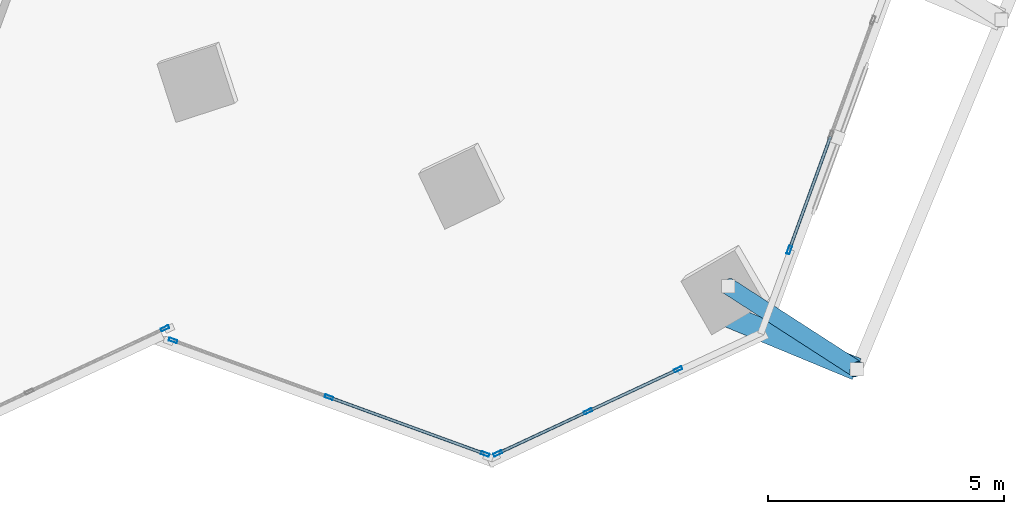
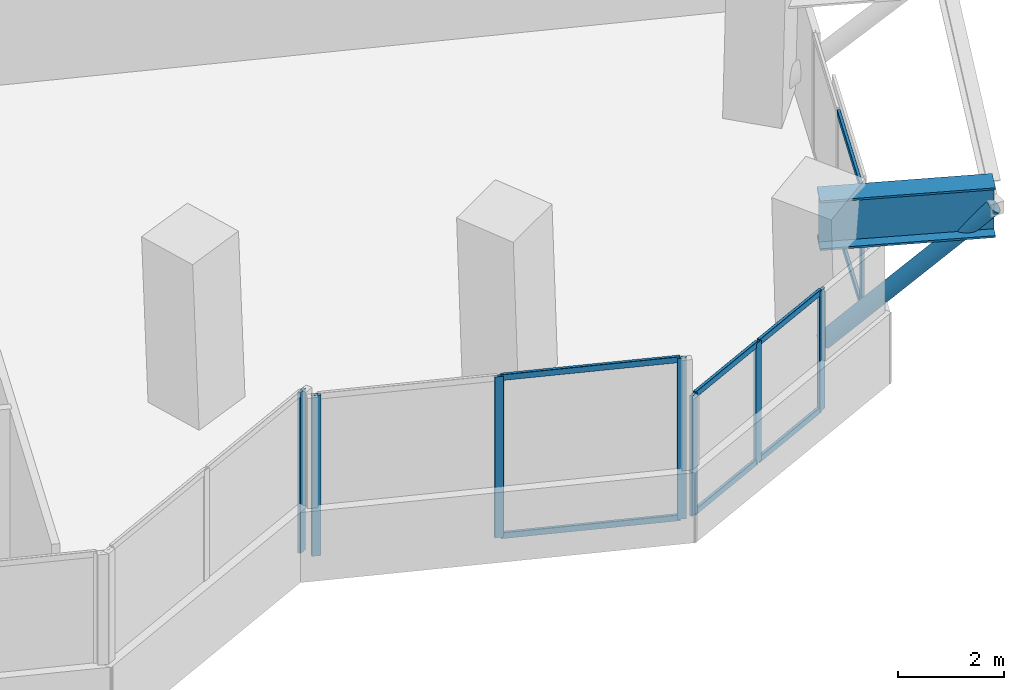
# One storey, part 8 of 21: 17 members, 1 beam, 4 elements without a shape of their own.
"""IFC4 building model written with IfcOpenShell, lengths in metres."""

from ifc_helpers import new_model, si_unit, direction, frame, origin, origin_2d, place, context, subcontext, project, spatial, hollow_rectangle, hollow_circle, i_section, extrude, source, transform, mapped, material, material_profile, profile_set, type_object, element, aggregate, save


model = new_model("IFC4")

# Units and contexts
model_context = context("Model", 3, precision=1e-05, world=origin(), true_north=direction((0.0, 1.0)))
body_context = subcontext(model_context, "Body", "Model", "MODEL_VIEW")
ifc_project = project(units=[si_unit("LENGTHUNIT", "METRE"), si_unit("AREAUNIT", "SQUARE_METRE"), si_unit("VOLUMEUNIT", "CUBIC_METRE"), si_unit("PLANEANGLEUNIT", "RADIAN"), si_unit("MASSUNIT", "GRAM", prefix="KILO")], contexts=[model_context])

# Site, building, storey
site_placement = place(None, origin())
site = spatial("IfcSite", under=ifc_project, at=site_placement, CompositionType="ELEMENT")
building_placement = place(site_placement, origin())
building = spatial("IfcBuilding", under=site, at=building_placement, Name="Torre Montelarca", CompositionType="ELEMENT")
storey_placement = place(building_placement, frame((0.0, 0.0, 137.199951171875)))
storey = spatial("IfcBuildingStorey", under=building, at=storey_placement, Name="L30", CompositionType="ELEMENT", Elevation=137.199951171875)

# Member
ifc_material_1 = material(Name="Steel ASTM A500 Grade C", Category="steel")
ifc_material_profile_1 = material_profile(ifc_material_1, hollow_circle(Radius=0.177734375, WallThickness=0.015869140625, at=origin_2d()), Name="HSS355.6X15.9", Category="steel")
ifc_profile_set_1 = profile_set([ifc_material_profile_1], Name="Steel ASTM A500 Grade C")
member_type_1 = type_object("IfcMemberType", Name="MB-BR-CHS356-EXT", PredefinedType="BRACE", material=ifc_profile_set_1)
shared_shape_1 = source(origin(), body_context, "Body", "SweptSolid", [
    extrude(hollow_circle(Radius=0.177734375, WallThickness=0.015869140625, at=origin_2d()), origin(), (0.0, 0.0, 1.0), 4.574462890625),
])
member_1_placement = place(storey_placement, frame((43.298583984375, 14.939208984375, 0.150146484375), z_axis=(0.594127152872, -0.38331128386, 0.707167155548), x_axis=(0.542130308498, 0.840294429714, 0.0)))
element("IfcMember", 1, at=member_1_placement, inside=storey, type_object=member_type_1, Name="L31 Sliding Tray Exterior Diagonal Raker Strut E1", PredefinedType="BRACE", context=body_context, shape_type="MappedRepresentation", body=[
    mapped(shared_shape_1, transform((0.0, 0.0, 0.0), scale=1.0)),
])

# Beam
ifc_material_2 = material(Name="Steel ASTM A572 Grade 50", Category="steel")
ifc_material_profile_2 = material_profile(ifc_material_2, i_section(OverallWidth=0.47998046875, OverallDepth=1.14990234375, WebThickness=0.02197265625, FlangeThickness=0.044921875, at=origin_2d()), Name="PG1150X480X22X45", Category="steel")
ifc_profile_set_2 = profile_set([ifc_material_profile_2], Name="Steel ASTM A572 Grade 50")
beam_type = type_object("IfcBeamType", Name="BM-CG-PG1400-EXT", PredefinedType="USERDEFINED", material=ifc_profile_set_2)
shared_shape_2 = source(origin(), body_context, "Body", "SweptSolid", [
    extrude(i_section(OverallWidth=0.47998046875, OverallDepth=1.14990234375, WebThickness=0.02197265625, FlangeThickness=0.044921875, at=origin_2d()), origin(), (0.0, 0.0, 1.0), 3.35009765625),
])
beam_placement = place(storey_placement, frame((42.92138671875, 14.468017578125, 3.385009765625), z_axis=(0.9238533867, -0.382746547839, 0.0), x_axis=(0.382746547839, 0.9238533867, 0.0)))
element("IfcBeam", 2, at=beam_placement, inside=storey, type_object=beam_type, Name="L30 Sliding Tray Cantilever Girder East Y=24m (FLR)", ObjectType="CANTILEVER GIRDER", PredefinedType="USERDEFINED", context=body_context, shape_type="MappedRepresentation", body=[
    mapped(shared_shape_2, transform((0.0, 0.0, 0.0), scale=1.0)),
])

# Curtain wall, members
ifc_material_3 = material(Name="Insulated low-E laminated glass", Category="glass")
curtain_wall_type = type_object("IfcCurtainWallType", Name="CW-SYS-Z2", PredefinedType="USERDEFINED", material=ifc_material_3)
curtain_wall_1_placement = place(storey_placement, origin())
curtain_wall_1 = element("IfcCurtainWall", 3, at=curtain_wall_1_placement, inside=storey, type_object=curtain_wall_type, Name="L30 Curtain Wall Run CW-T3-L30-E05-B1", ObjectType="UNITISED GLAZING", PredefinedType="USERDEFINED")
ifc_material_4 = material(Name="Anodised aluminium AA 6063-T6", Category="aluminium")
ifc_material_profile_3 = material_profile(ifc_material_4, hollow_rectangle(XDim=0.06494140625, YDim=0.179931640625, WallThickness=0.00390625, InnerFilletRadius=0.00390625, OuterFilletRadius=0.008056640625, at=origin_2d()), Name="ALU65X180X4", Category="aluminium")
ifc_profile_set_3 = profile_set([ifc_material_profile_3], Name="Anodised aluminium AA 6063-T6")
member_type_2 = type_object("IfcMemberType", Name="CWM-ALU180", PredefinedType="MULLION", material=ifc_profile_set_3)
shared_shape_3 = source(origin(), body_context, "Body", "SweptSolid", [
    extrude(hollow_rectangle(XDim=0.06494140625, YDim=0.179931640625, WallThickness=0.00390625, InnerFilletRadius=0.00390625, OuterFilletRadius=0.008056640625, at=origin_2d()), origin(), (0.0, 0.0, 1.0), 2.775146484375),
])
member_2_placement = place(storey_placement, frame((38.424072265625, 11.40185546875, 0.0), z_axis=(0.0, 0.0, 1.0), x_axis=(-0.422593426192, 0.906319367629, 0.0)))
member_2 = element("IfcMember", 4, at=member_2_placement, type_object=member_type_2, Name="CW mullion 1", PredefinedType="MULLION", context=body_context, shape_type="MappedRepresentation", body=[
    mapped(shared_shape_3, transform((0.0, 0.0, 0.0), scale=1.0)),
])
member_3_placement = place(storey_placement, frame((40.33154296875, 12.291259765625, 0.0), z_axis=(0.0, 0.0, 1.0), x_axis=(-0.422593426192, 0.906319367629, 0.0)))
member_3 = element("IfcMember", 5, at=member_3_placement, type_object=member_type_2, Name="CW mullion 2", PredefinedType="MULLION", context=body_context, shape_type="MappedRepresentation", body=[
    mapped(shared_shape_3, transform((0.0, 0.0, 0.0), scale=1.0)),
])
member_4_placement = place(storey_placement, frame((42.239013671875, 13.1806640625, 0.0), z_axis=(0.0, 0.0, 1.0), x_axis=(-0.422593426192, 0.906319367629, 0.0)))
member_4 = element("IfcMember", 6, at=member_4_placement, type_object=member_type_2, Name="CW mullion 3", PredefinedType="MULLION", context=body_context, shape_type="MappedRepresentation", body=[
    mapped(shared_shape_3, transform((0.0, 0.0, 0.0), scale=1.0)),
])

# Curtain wall, member
curtain_wall_2_placement = place(storey_placement, origin())
curtain_wall_2 = element("IfcCurtainWall", 7, at=curtain_wall_2_placement, inside=storey, type_object=curtain_wall_type, Name="L30 Curtain Wall Run CW-T3-L30-E06-B1", ObjectType="UNITISED GLAZING", PredefinedType="USERDEFINED")
member_5_placement = place(storey_placement, frame((44.58984375, 15.70654296875, 0.0), z_axis=(0.0, 0.0, 1.0), x_axis=(-0.939698020789, 0.342005306576, 0.0)))
member_5 = element("IfcMember", 8, at=member_5_placement, type_object=member_type_2, Name="CW mullion 1", PredefinedType="MULLION", context=body_context, shape_type="MappedRepresentation", body=[
    mapped(shared_shape_3, transform((0.0, 0.0, 0.0), scale=1.0)),
])

curtain_wall_3_placement = place(storey_placement, origin())
curtain_wall_3 = element("IfcCurtainWall", 9, at=curtain_wall_3_placement, inside=storey, type_object=curtain_wall_type, Name="L30 Curtain Wall Run CW-T3-L30-E02-B1", ObjectType="UNITISED GLAZING", PredefinedType="USERDEFINED")
shared_shape_4 = source(origin(), body_context, "Body", "SweptSolid", [
    extrude(hollow_rectangle(XDim=0.06494140625, YDim=0.179931640625, WallThickness=0.00390625, InnerFilletRadius=0.00390625, OuterFilletRadius=0.008056640625, at=origin_2d()), origin(), (0.0, 0.0, 1.0), 3.719970703125),
])
member_6_placement = place(storey_placement, frame((31.384033203125, 14.04833984375, 0.0), z_axis=(0.0, 0.0, 1.0), x_axis=(-0.42258947224, 0.906321211244, 0.0)))
member_6 = element("IfcMember", 10, at=member_6_placement, type_object=member_type_2, Name="CW mullion 3", PredefinedType="MULLION", context=body_context, shape_type="MappedRepresentation", body=[
    mapped(shared_shape_4, transform((0.0, 0.0, 0.0), scale=1.0)),
])
aggregate(curtain_wall_3, [member_6])

# Curtain wall, members
curtain_wall_4_placement = place(storey_placement, origin())
curtain_wall_4 = element("IfcCurtainWall", 11, at=curtain_wall_4_placement, inside=storey, type_object=curtain_wall_type, Name="L30 Curtain Wall Run CW-T3-L30-E04-B1", ObjectType="UNITISED GLAZING", PredefinedType="USERDEFINED")
member_7_placement = place(storey_placement, frame((31.553955078125, 13.79345703125, 0.0), z_axis=(0.0, 0.0, 1.0), x_axis=(0.342014760928, 0.939694579801, 0.0)))
member_7 = element("IfcMember", 12, at=member_7_placement, type_object=member_type_2, Name="CW mullion 1", PredefinedType="MULLION", context=body_context, shape_type="MappedRepresentation", body=[
    mapped(shared_shape_4, transform((0.0, 0.0, 0.0), scale=1.0)),
])
member_8_placement = place(storey_placement, frame((34.85546875, 12.591796875, 0.0), z_axis=(0.0, 0.0, 1.0), x_axis=(0.342014760928, 0.939694579801, 0.0)))
member_8 = element("IfcMember", 13, at=member_8_placement, type_object=member_type_2, Name="CW mullion 2", PredefinedType="MULLION", context=body_context, shape_type="MappedRepresentation", body=[
    mapped(shared_shape_4, transform((0.0, 0.0, 0.0), scale=1.0)),
])
member_9_placement = place(storey_placement, frame((38.1572265625, 11.39013671875, 0.0), z_axis=(0.0, 0.0, 1.0), x_axis=(0.342014760928, 0.939694579801, 0.0)))
member_9 = element("IfcMember", 14, at=member_9_placement, type_object=member_type_2, Name="CW mullion 3", PredefinedType="MULLION", context=body_context, shape_type="MappedRepresentation", body=[
    mapped(shared_shape_4, transform((0.0, 0.0, 0.0), scale=1.0)),
])
ifc_material_profile_4 = material_profile(ifc_material_4, hollow_rectangle(XDim=0.06494140625, YDim=0.139892578125, WallThickness=0.00390625, InnerFilletRadius=0.00390625, OuterFilletRadius=0.008056640625, at=origin_2d()), Name="ALU65X140X4", Category="aluminium")
ifc_profile_set_4 = profile_set([ifc_material_profile_4], Name="Anodised aluminium AA 6063-T6")
member_type_3 = type_object("IfcMemberType", Name="CWT-ALU140", PredefinedType="USERDEFINED", material=ifc_profile_set_4)
shared_shape_5 = source(origin(), body_context, "Body", "SweptSolid", [
    extrude(hollow_rectangle(XDim=0.06494140625, YDim=0.139892578125, WallThickness=0.00390625, InnerFilletRadius=0.00390625, OuterFilletRadius=0.008056640625, at=origin_2d()), origin(), (0.0, 0.0, 1.0), 3.44873046875),
])
member_10_placement = place(storey_placement, frame((34.885986328125, 12.58056640625, 0.032470703125), z_axis=(0.939700376564, -0.341998833749, 0.0), x_axis=(0.341998833749, 0.939700376564, 0.0)))
member_10 = element("IfcMember", 15, at=member_10_placement, type_object=member_type_3, Name="CW transom 2.1", ObjectType="TRANSOM", PredefinedType="USERDEFINED", context=body_context, shape_type="MappedRepresentation", body=[
    mapped(shared_shape_5, transform((0.0, 0.0, 0.0), scale=1.0)),
])
member_11_placement = place(storey_placement, frame((34.885986328125, 12.58056640625, 3.6875), z_axis=(0.939700376564, -0.341998833749, 0.0), x_axis=(0.341998833749, 0.939700376564, 0.0)))
member_11 = element("IfcMember", 16, at=member_11_placement, type_object=member_type_3, Name="CW transom 2.2", ObjectType="TRANSOM", PredefinedType="USERDEFINED", context=body_context, shape_type="MappedRepresentation", body=[
    mapped(shared_shape_5, transform((0.0, 0.0, 0.0), scale=1.0)),
])
aggregate(curtain_wall_4, [member_7, member_8, member_9, member_10, member_11])

# Member
shared_shape_6 = source(origin(), body_context, "Body", "SweptSolid", [
    extrude(hollow_rectangle(XDim=0.06494140625, YDim=0.139892578125, WallThickness=0.00390625, InnerFilletRadius=0.00390625, OuterFilletRadius=0.008056640625, at=origin_2d()), origin(), (0.0, 0.0, 1.0), 2.03955078125),
])
member_12_placement = place(storey_placement, frame((38.453369140625, 11.41552734375, 0.032470703125), z_axis=(0.906348200805, 0.422531583313, 0.0), x_axis=(-0.422531583313, 0.906348200805, 0.0)))
member_12 = element("IfcMember", 17, at=member_12_placement, type_object=member_type_3, Name="CW transom 1.1", ObjectType="TRANSOM", PredefinedType="USERDEFINED", context=body_context, shape_type="MappedRepresentation", body=[
    mapped(shared_shape_6, transform((0.0, 0.0, 0.0), scale=1.0)),
])

member_13_placement = place(storey_placement, frame((38.453369140625, 11.41552734375, 2.742431640625), z_axis=(0.906348200805, 0.422531583313, 0.0), x_axis=(-0.422531583313, 0.906348200805, 0.0)))
member_13 = element("IfcMember", 18, at=member_13_placement, type_object=member_type_3, Name="CW transom 1.2", ObjectType="TRANSOM", PredefinedType="USERDEFINED", context=body_context, shape_type="MappedRepresentation", body=[
    mapped(shared_shape_6, transform((0.0, 0.0, 0.0), scale=1.0)),
])

member_14_placement = place(storey_placement, frame((40.36083984375, 12.304931640625, 0.032470703125), z_axis=(0.906348200805, 0.422531583313, 0.0), x_axis=(-0.422531583313, 0.906348200805, 0.0)))
member_14 = element("IfcMember", 19, at=member_14_placement, type_object=member_type_3, Name="CW transom 2.1", ObjectType="TRANSOM", PredefinedType="USERDEFINED", context=body_context, shape_type="MappedRepresentation", body=[
    mapped(shared_shape_6, transform((0.0, 0.0, 0.0), scale=1.0)),
])

member_15_placement = place(storey_placement, frame((40.36083984375, 12.304931640625, 2.742431640625), z_axis=(0.906348200805, 0.422531583313, 0.0), x_axis=(-0.422531583313, 0.906348200805, 0.0)))
member_15 = element("IfcMember", 20, at=member_15_placement, type_object=member_type_3, Name="CW transom 2.2", ObjectType="TRANSOM", PredefinedType="USERDEFINED", context=body_context, shape_type="MappedRepresentation", body=[
    mapped(shared_shape_6, transform((0.0, 0.0, 0.0), scale=1.0)),
])

aggregate(curtain_wall_1, [member_2, member_3, member_4, member_12, member_13, member_14, member_15])

shared_shape_7 = source(origin(), body_context, "Body", "SweptSolid", [
    extrude(hollow_rectangle(XDim=0.06494140625, YDim=0.139892578125, WallThickness=0.00390625, InnerFilletRadius=0.00390625, OuterFilletRadius=0.008056640625, at=origin_2d()), origin(), (0.0, 0.0, 1.0), 2.520263671875),
])
member_16_placement = place(storey_placement, frame((44.600830078125, 15.737060546875, 0.032470703125), z_axis=(0.342061949656, 0.939677403473, 0.0), x_axis=(-0.939677403473, 0.342061949656, 0.0)))
member_16 = element("IfcMember", 21, at=member_16_placement, type_object=member_type_3, Name="CW transom 1.1", ObjectType="TRANSOM", PredefinedType="USERDEFINED", context=body_context, shape_type="MappedRepresentation", body=[
    mapped(shared_shape_7, transform((0.0, 0.0, 0.0), scale=1.0)),
])

member_17_placement = place(storey_placement, frame((44.600830078125, 15.737060546875, 2.742431640625), z_axis=(0.342061949656, 0.939677403473, 0.0), x_axis=(-0.939677403473, 0.342061949656, 0.0)))
member_17 = element("IfcMember", 22, at=member_17_placement, type_object=member_type_3, Name="CW transom 1.2", ObjectType="TRANSOM", PredefinedType="USERDEFINED", context=body_context, shape_type="MappedRepresentation", body=[
    mapped(shared_shape_7, transform((0.0, 0.0, 0.0), scale=1.0)),
])

aggregate(curtain_wall_2, [member_5, member_16, member_17])

save(model, "model.ifc")
